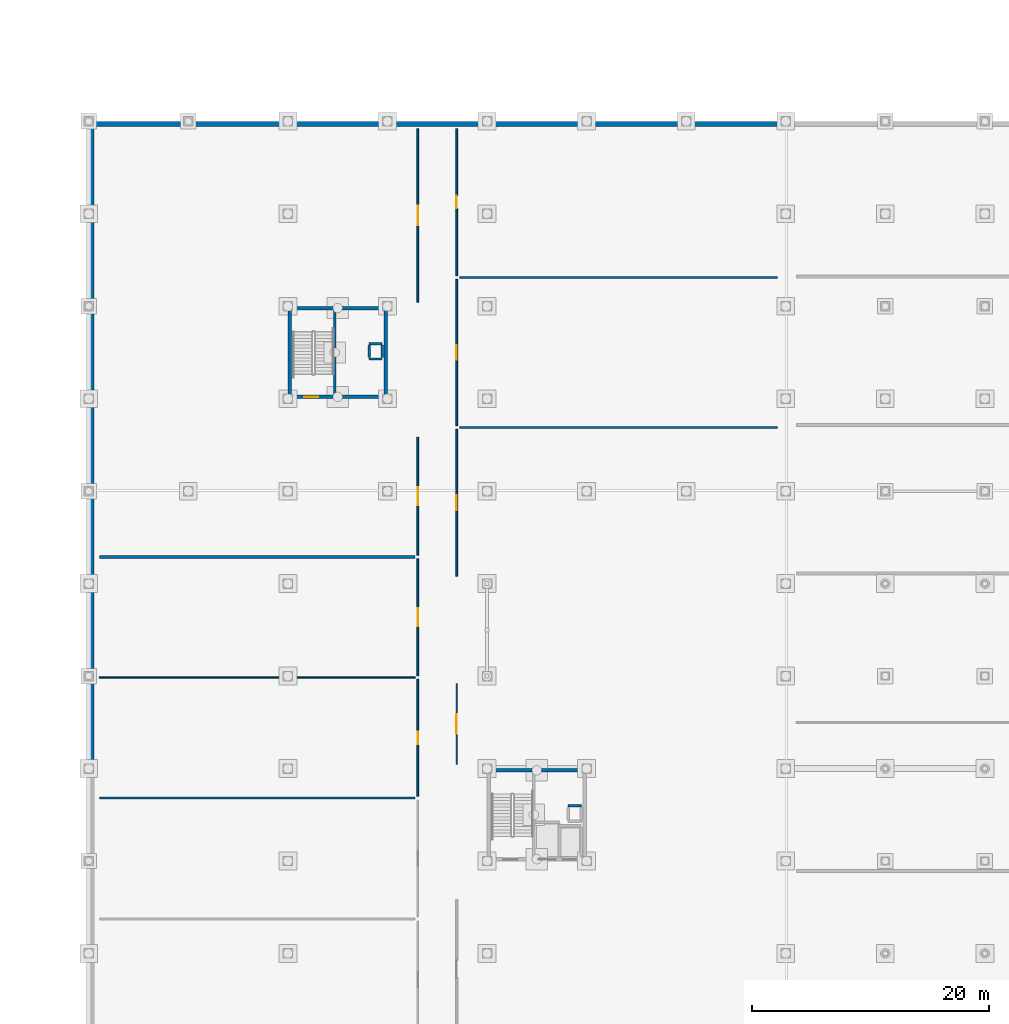
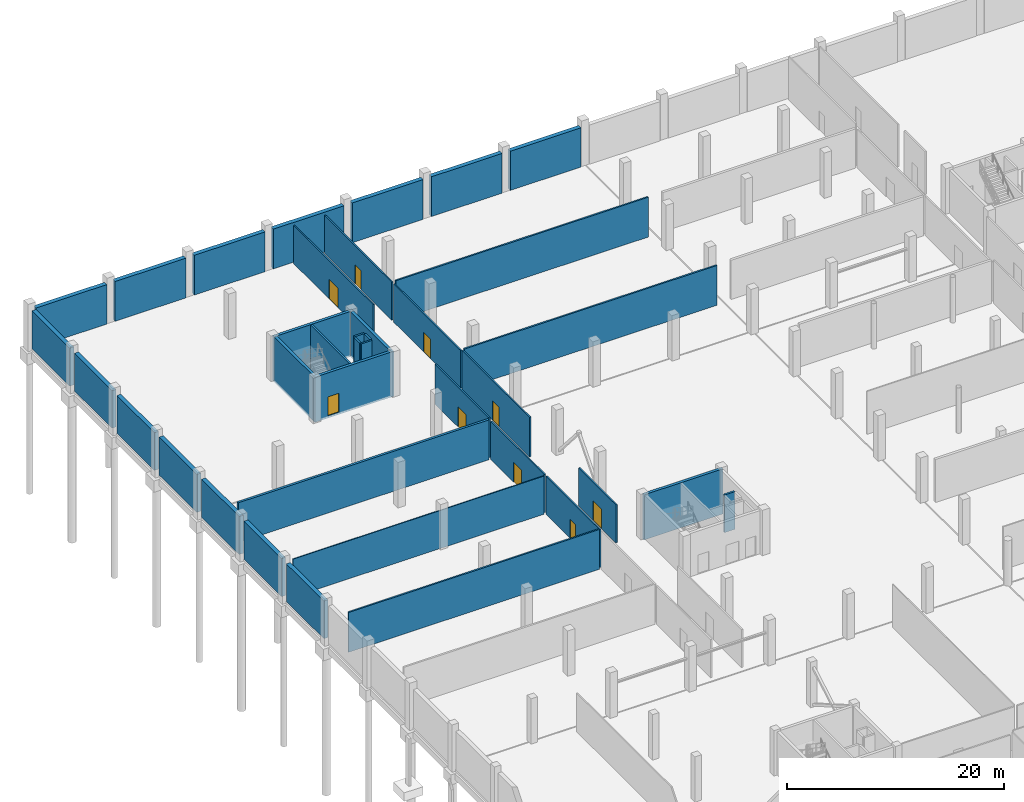
# One storey, part 30 of 48: 38 walls, 9 doors, 9 openings.
"""IFC4 building model written with IfcOpenShell, lengths in metres."""

from ifc_helpers import new_model, si_unit, direction, frame, frame_2d, origin, place, context, subcontext, project, spatial, rectangle, extrude, material, layer, layer_set, type_object, element, fill, save


model = new_model("IFC4")

# Units and contexts
model_context = context("Model", 3, precision=1e-05, world=origin(), true_north=direction((0.0, 1.0)))
body_context = subcontext(model_context, "Body", "Model", "MODEL_VIEW")
ifc_project = project(units=[si_unit("LENGTHUNIT", "METRE"), si_unit("AREAUNIT", "SQUARE_METRE"), si_unit("VOLUMEUNIT", "CUBIC_METRE"), si_unit("PLANEANGLEUNIT", "RADIAN"), si_unit("MASSUNIT", "GRAM", prefix="KILO")], contexts=[model_context])

# Site, building, storey
site_placement = place(None, origin())
site = spatial("IfcSite", under=ifc_project, at=site_placement, CompositionType="ELEMENT")
building_placement = place(site_placement, origin())
building = spatial("IfcBuilding", under=site, at=building_placement, Name="Nabrawat Pavilion Hospital", CompositionType="ELEMENT")
storey_placement = place(building_placement, frame((0.0, 0.0, -5.10009765625)))
storey = spatial("IfcBuildingStorey", under=building, at=storey_placement, Name="B1", CompositionType="ELEMENT", Elevation=-5.10009765625)

# Walls
ifc_material_1 = material(Name="Concrete C35/45", Category="concrete")
ifc_layer_1 = layer(ifc_material_1, 0.43994140625, Name="Concrete C35/45")
ifc_layer_set_1 = layer_set([ifc_layer_1], Name="Concrete C35/45")
wall_type_1 = type_object("IfcWallType", Name="Basement Deep RC Retaining Wall 440", PredefinedType="USERDEFINED", material=ifc_layer_set_1)
wall_1_placement = place(storey_placement, frame((0.219970703125, 62.840087890625, 0.0), z_axis=(0.0, 0.0, 1.0), x_axis=(0.0, 1.0, 0.0)))
element("IfcWall", 1, at=wall_1_placement, inside=storey, type_object=wall_type_1, Name="B1 Perimeter Retaining Wall 016", ObjectType="RETAININGWALL", PredefinedType="USERDEFINED", context=body_context, shape_type="SweptSolid", body=[
    extrude(rectangle(XDim=6.919921875, YDim=0.43994140625, at=frame_2d((3.4599609375, 0.0))), origin(), (0.0, 0.0, 1.0), 4.22998046875),
])
for number, where, z_axis, x_axis, name in (
    (2, (0.219970703125, 70.639892578125, 0.0), (0.0, 0.0, 1.0), (0.0, 1.0, 0.0), "B1 Perimeter Retaining Wall 017"),
    (3, (0.219970703125, 78.43994140625, 0.0), (0.0, 0.0, 1.0), (0.0, 1.0, 0.0), "B1 Perimeter Retaining Wall 018"),
):
    element("IfcWall", number, at=place(storey_placement, frame(where, z_axis=z_axis, x_axis=x_axis)), inside=storey, type_object=wall_type_1, Name=name, ObjectType="RETAININGWALL", PredefinedType="USERDEFINED", context=body_context, shape_type="SweptSolid", body=[
        extrude(rectangle(XDim=6.920166015625, YDim=0.43994140625, at=frame_2d((3.4599609375, 0.0))), origin(), (0.0, 0.0, 1.0), 4.280029296875),
    ])
wall_2_placement = place(storey_placement, frame((0.219970703125, 86.239990234375, 0.0), z_axis=(0.0, 0.0, 1.0), x_axis=(0.0, 1.0, 0.0)))
element("IfcWall", 4, at=wall_2_placement, inside=storey, type_object=wall_type_1, Name="B1 Perimeter Retaining Wall 019", ObjectType="RETAININGWALL", PredefinedType="USERDEFINED", context=body_context, shape_type="SweptSolid", body=[
    extrude(rectangle(XDim=6.919921875, YDim=0.43994140625, at=frame_2d((3.4599609375, 0.0))), origin(), (0.0, 0.0, 1.0), 4.280029296875),
])
for number, where, z_axis, x_axis, name in (
    (5, (0.219970703125, 94.0400390625, 0.0), (0.0, 0.0, 1.0), (0.0, 1.0, 0.0), "B1 Perimeter Retaining Wall 020"),
    (6, (0.219970703125, 101.840087890625, 0.0), (0.0, 0.0, 1.0), (0.0, 1.0, 0.0), "B1 Perimeter Retaining Wall 021"),
):
    element("IfcWall", number, at=place(storey_placement, frame(where, z_axis=z_axis, x_axis=x_axis)), inside=storey, type_object=wall_type_1, Name=name, ObjectType="RETAININGWALL", PredefinedType="USERDEFINED", context=body_context, shape_type="SweptSolid", body=[
        extrude(rectangle(XDim=6.919921875, YDim=0.43994140625, at=frame_2d((3.4599609375, 0.0))), origin(), (0.0, 0.0, 1.0), 4.22998046875),
    ])
wall_3_placement = place(storey_placement, frame((0.219970703125, 109.639892578125, 0.0), z_axis=(0.0, 0.0, 1.0), x_axis=(0.0, 1.0, 0.0)))
element("IfcWall", 7, at=wall_3_placement, inside=storey, type_object=wall_type_1, Name="B1 Perimeter Retaining Wall 022", ObjectType="RETAININGWALL", PredefinedType="USERDEFINED", context=body_context, shape_type="SweptSolid", body=[
    extrude(rectangle(XDim=6.920166015625, YDim=0.43994140625, at=frame_2d((3.4599609375, 0.0))), origin(), (0.0, 0.0, 1.0), 4.280029296875),
])
wall_4_placement = place(storey_placement, frame((0.43994140625, 116.780029296875, 0.0), z_axis=(0.0, 0.0, 1.0), x_axis=(1.0, 0.0, 0.0)))
element("IfcWall", 8, at=wall_4_placement, inside=storey, type_object=wall_type_1, Name="B1 Perimeter Retaining Wall 023", ObjectType="RETAININGWALL", PredefinedType="USERDEFINED", context=body_context, shape_type="SweptSolid", body=[
    extrude(rectangle(XDim=7.52001953125, YDim=0.43994140625, at=frame_2d((3.760009765625, 0.0))), origin(), (0.0, 0.0, 1.0), 4.440185546875),
])
for number, where, z_axis, x_axis, name in (
    (9, (8.840087890625, 116.780029296875, 0.0), (0.0, 0.0, 1.0), (1.0, 0.0, 0.0), "B1 Perimeter Retaining Wall 024"),
    (10, (17.239990234375, 116.780029296875, 0.0), (0.0, 0.0, 1.0), (1.0, 0.0, 0.0), "B1 Perimeter Retaining Wall 025"),
    (11, (25.639892578125, 116.780029296875, 0.0), (0.0, 0.0, 1.0), (1.0, 0.0, 0.0), "B1 Perimeter Retaining Wall 026"),
    (12, (34.0400390625, 116.780029296875, 0.0), (0.0, 0.0, 1.0), (1.0, 0.0, 0.0), "B1 Perimeter Retaining Wall 027"),
    (13, (42.43994140625, 116.780029296875, 0.0), (0.0, 0.0, 1.0), (1.0, 0.0, 0.0), "B1 Perimeter Retaining Wall 028"),
):
    element("IfcWall", number, at=place(storey_placement, frame(where, z_axis=z_axis, x_axis=x_axis)), inside=storey, type_object=wall_type_1, Name=name, ObjectType="RETAININGWALL", PredefinedType="USERDEFINED", context=body_context, shape_type="SweptSolid", body=[
        extrude(rectangle(XDim=7.52001953125, YDim=0.43994140625, at=frame_2d((3.760009765625, 0.0))), origin(), (0.0, 0.0, 1.0), 4.47021484375),
    ])
wall_5_placement = place(storey_placement, frame((50.840087890625, 116.780029296875, 0.0), z_axis=(0.0, 0.0, 1.0), x_axis=(1.0, 0.0, 0.0)))
element("IfcWall", 14, at=wall_5_placement, inside=storey, type_object=wall_type_1, Name="B1 Perimeter Retaining Wall 029", ObjectType="RETAININGWALL", PredefinedType="USERDEFINED", context=body_context, shape_type="SweptSolid", body=[
    extrude(rectangle(XDim=7.52001953125, YDim=0.43994140625, at=frame_2d((3.760009765625, 0.0))), origin(), (0.0, 0.0, 1.0), 4.41015625),
])
ifc_layer_2 = layer(ifc_material_1, 0.25, Name="Concrete C35/45")
ifc_layer_set_2 = layer_set([ifc_layer_2], Name="Concrete C35/45")
wall_type_2 = type_object("IfcWallType", Name="Basement Plant Acoustic Masonry Wall 250", PredefinedType="PARTITIONING", material=ifc_layer_set_2)
wall_6_placement = place(storey_placement, frame((0.889892578125, 80.251953125, 0.0), z_axis=(0.0, 0.0, 1.0), x_axis=(1.0, 0.0, 0.0)))
element("IfcWall", 15, at=wall_6_placement, inside=storey, type_object=wall_type_2, Name="B1 Emergency Diesel Generator Plant Room B1-04 Dividing Partition", PredefinedType="PARTITIONING", context=body_context, shape_type="SweptSolid", body=[
    extrude(rectangle(XDim=26.650146484375, YDim=0.25, at=frame_2d((13.3251953125, 0.0))), origin(), (0.0, 0.0, 1.0), 4.47998046875),
])
ifc_material_2 = material(Name="Epoxy-Coated Gypsum on Stud", Category="gypsum")
ifc_layer_3 = layer(ifc_material_2, 0.169921875, Name="Epoxy-Coated Gypsum on Stud")
ifc_layer_set_3 = layer_set([ifc_layer_3], Name="Epoxy-Coated Gypsum on Stud")
wall_type_3 = type_object("IfcWallType", Name="Biosafety Laboratory Chemical Wall 170", PredefinedType="PARTITIONING", material=ifc_layer_set_3)
wall_7_placement = place(storey_placement, frame((0.889892578125, 59.89599609375, 0.0), z_axis=(0.0, 0.0, 1.0), x_axis=(1.0, 0.0, 0.0)))
element("IfcWall", 16, at=wall_7_placement, inside=storey, type_object=wall_type_3, Name="B1 Regional Blood Bank Cryo Storage B1-02 Dividing Partition", PredefinedType="PARTITIONING", context=body_context, shape_type="SweptSolid", body=[
    extrude(rectangle(XDim=26.650146484375, YDim=0.169921875, at=frame_2d((13.3251953125, 0.0))), origin(), (0.0, 0.0, 1.0), 4.47998046875),
])
for number, where, z_axis, x_axis, name in (
    (17, (31.260009765625, 91.179931640625, 0.0), (0.0, 0.0, 1.0), (1.0, 0.0, 0.0), "B1 Anatomical Pathology Laboratory B1-09 Dividing Partition"),
    (18, (31.260009765625, 103.820068359375, 0.0), (0.0, 0.0, 1.0), (1.0, 0.0, 0.0), "B1 Regional Blood Bank Cryo Storage B1-10 Dividing Partition"),
):
    element("IfcWall", number, at=place(storey_placement, frame(where, z_axis=z_axis, x_axis=x_axis)), inside=storey, type_object=wall_type_3, Name=name, PredefinedType="PARTITIONING", context=body_context, shape_type="SweptSolid", body=[
        extrude(rectangle(XDim=26.85009765625, YDim=0.169921875, at=frame_2d((13.425048828125, 0.0))), origin(), (0.0, 0.0, 1.0), 4.47998046875),
    ])
ifc_material_3 = material(Name="Gypsum Plasterboard on Stud", Category="gypsum")
ifc_layer_4 = layer(ifc_material_3, 0.10009765625, Name="Gypsum Plasterboard on Stud")
ifc_layer_set_4 = layer_set([ifc_layer_4], Name="Gypsum Plasterboard on Stud")
wall_type_4 = type_object("IfcWallType", Name="Clean Utility Sub-Partition 100", PredefinedType="PARTITIONING", material=ifc_layer_set_4)
wall_8_placement = place(storey_placement, frame((0.889892578125, 70.073974609375, 0.0), z_axis=(0.0, 0.0, 1.0), x_axis=(1.0, 0.0, 0.0)))
element("IfcWall", 19, at=wall_8_placement, inside=storey, type_object=wall_type_4, Name="B1 Sterile Autoclave Packing Hall B1-03 Dividing Partition", PredefinedType="PARTITIONING", context=body_context, shape_type="SweptSolid", body=[
    extrude(rectangle(XDim=26.650146484375, YDim=0.10009765625, at=frame_2d((13.3251953125, 0.0))), origin(), (0.0, 0.0, 1.0), 4.280029296875),
])

# Wall, opening, door
ifc_material_4 = material(Name="Gypsum Fireboard on Steel Stud", Category="steel")
ifc_layer_5 = layer(ifc_material_4, 0.14990234375, Name="Gypsum Fireboard on Steel Stud")
ifc_layer_set_5 = layer_set([ifc_layer_5], Name="Gypsum Fireboard on Steel Stud")
wall_type_5 = type_object("IfcWallType", Name="Clinical Corridor Smoke-Barrier Wall 150", PredefinedType="PARTITIONING", material=ifc_layer_set_5)
wall_9_placement = place(storey_placement, frame((27.760009765625, 60.055908203125, 0.0), z_axis=(0.0, 0.0, 1.0), x_axis=(0.0, 1.0, 0.0)))
wall_9 = element("IfcWall", 20, at=wall_9_placement, inside=storey, type_object=wall_type_5, Name="B1 Sterile Autoclave Packing Hall B1-03 Front Partition", PredefinedType="PARTITIONING", context=body_context, shape_type="SweptSolid", body=[
    extrude(rectangle(XDim=9.858154296875, YDim=0.14990234375, at=frame_2d((4.92919921875, 0.0))), origin(), (0.0, 0.0, 1.0), 4.280029296875),
])
opening_1_placement = place(wall_9_placement, frame((4.404052734375, 0.0, 0.0)))
opening_1 = element("IfcOpeningElement", 21, at=opening_1_placement, cuts=wall_9, Name="Opening D-OPC-L", PredefinedType="OPENING", context=body_context, shape_type="SweptSolid", body=[
    extrude(rectangle(XDim=1.050048828125, YDim=2.14990234375, at=frame_2d((0.52490234375, 1.074951171875))), frame((0.0, 0.0849609375, 0.0), z_axis=(0.0, -1.0, 0.0), x_axis=(1.0, 0.0, 0.0)), (0.0, 0.0, 1.0), 0.169921875),
])
ifc_material_5 = material(Name="Stainless-Clad Acoustic Timber and Vision Glass", Category="wood")
door_type_1 = type_object("IfcDoorType", Name="Outpatient Clinic Consultation Door L 1050x2150", OperationType="NOTDEFINED", PredefinedType="DOOR", material=ifc_material_5)
door_1_placement = place(opening_1_placement, origin())
door_1 = element("IfcDoor", 22, at=door_1_placement, inside=storey, type_object=door_type_1, Name="Sterile Autoclave Packing Hall B1-03 Door", OperationType="SINGLE_SWING_RIGHT", OverallHeight=2.14990234375, OverallWidth=1.050048828125, PredefinedType="DOOR", context=body_context, shape_type="SweptSolid", body=[
    extrude(rectangle(XDim=1.050048828125, YDim=2.14990234375, at=frame_2d((0.52490234375, 1.074951171875))), frame((0.0, 0.02490234375, 0.0), z_axis=(0.0, -1.0, 0.0), x_axis=(1.0, 0.0, 0.0)), (0.0, 0.0, 1.0), 0.050048828125),
])
fill(opening_1, door_1)

wall_10_placement = place(storey_placement, frame((27.760009765625, 70.23388671875, 0.0), z_axis=(0.0, 0.0, 1.0), x_axis=(0.0, 1.0, 0.0)))
wall_10 = element("IfcWall", 23, at=wall_10_placement, inside=storey, type_object=wall_type_5, Name="B1 Emergency Diesel Generator Plant Room B1-04 Front Partition", PredefinedType="PARTITIONING", context=body_context, shape_type="SweptSolid", body=[
    extrude(rectangle(XDim=9.858154296875, YDim=0.14990234375, at=frame_2d((4.92919921875, 0.0))), origin(), (0.0, 0.0, 1.0), 4.280029296875),
])
opening_2_placement = place(wall_10_placement, frame((4.178955078125, 0.0, 0.0)))
opening_2 = element("IfcOpeningElement", 24, at=opening_2_placement, cuts=wall_10, Name="Opening D-PLANT", PredefinedType="OPENING", context=body_context, shape_type="SweptSolid", body=[
    extrude(rectangle(XDim=1.5, YDim=2.25, at=frame_2d((0.75, 1.125))), frame((0.0, 0.0849609375, 0.0), z_axis=(0.0, -1.0, 0.0), x_axis=(1.0, 0.0, 0.0)), (0.0, 0.0, 1.0), 0.169921875),
])
door_type_2 = type_object("IfcDoorType", Name="D-PLANT Heavy Plant Room Steel Fire Door 1500x2250", OperationType="NOTDEFINED", PredefinedType="DOOR", material=ifc_material_5)
door_2_placement = place(opening_2_placement, origin())
door_2 = element("IfcDoor", 25, at=door_2_placement, inside=storey, type_object=door_type_2, Name="Emergency Diesel Generator Plant Room B1-04 Door", OperationType="DOUBLE_DOOR_SINGLE_SWING", OverallHeight=2.25, OverallWidth=1.5, PredefinedType="DOOR", context=body_context, shape_type="SweptSolid", body=[
    extrude(rectangle(XDim=1.5, YDim=2.25, at=frame_2d((0.75, 1.125))), frame((0.0, 0.02490234375, 0.0), z_axis=(0.0, -1.0, 0.0), x_axis=(1.0, 0.0, 0.0)), (0.0, 0.0, 1.0), 0.050048828125),
])
fill(opening_2, door_2)

wall_11_placement = place(storey_placement, frame((27.760009765625, 80.412109375, 0.0), z_axis=(0.0, 0.0, 1.0), x_axis=(0.0, 1.0, 0.0)))
wall_11 = element("IfcWall", 26, at=wall_11_placement, inside=storey, type_object=wall_type_5, Name="B1 Central Chilled Water Plant Room B1-05 Front Partition", PredefinedType="PARTITIONING", context=body_context, shape_type="SweptSolid", body=[
    extrude(rectangle(XDim=9.93798828125, YDim=0.14990234375, at=frame_2d((4.968994140625, 0.0))), origin(), (0.0, 0.0, 1.0), 4.47021484375),
])
opening_3_placement = place(wall_11_placement, frame((4.218994140625, 0.0, 0.0)))
opening_3 = element("IfcOpeningElement", 27, at=opening_3_placement, cuts=wall_11, Name="Opening D-PLANT", PredefinedType="OPENING", context=body_context, shape_type="SweptSolid", body=[
    extrude(rectangle(XDim=1.5, YDim=2.25, at=frame_2d((0.75, 1.125))), frame((0.0, 0.0849609375, 0.0), z_axis=(0.0, -1.0, 0.0), x_axis=(1.0, 0.0, 0.0)), (0.0, 0.0, 1.0), 0.169921875),
])
door_3_placement = place(opening_3_placement, origin())
door_3 = element("IfcDoor", 28, at=door_3_placement, inside=storey, type_object=door_type_2, Name="Central Chilled Water Plant Room B1-05 Door", OperationType="DOUBLE_DOOR_SINGLE_SWING", OverallHeight=2.25, OverallWidth=1.5, PredefinedType="DOOR", context=body_context, shape_type="SweptSolid", body=[
    extrude(rectangle(XDim=1.5, YDim=2.25, at=frame_2d((0.75, 1.125))), frame((0.0, 0.02490234375, 0.0), z_axis=(0.0, -1.0, 0.0), x_axis=(1.0, 0.0, 0.0)), (0.0, 0.0, 1.0), 0.050048828125),
])
fill(opening_3, door_3)

wall_12_placement = place(storey_placement, frame((27.760009765625, 101.719970703125, 0.0), z_axis=(0.0, 0.0, 1.0), x_axis=(0.0, 1.0, 0.0)))
wall_12 = element("IfcWall", 29, at=wall_12_placement, inside=storey, type_object=wall_type_5, Name="B1 Medical Records Digital Archive B1-06 Front Partition", PredefinedType="PARTITIONING", context=body_context, shape_type="SweptSolid", body=[
    extrude(rectangle(XDim=14.659912109375, YDim=0.14990234375, at=frame_2d((7.330078125, 0.0))), origin(), (0.0, 0.0, 1.0), 4.280029296875),
])
opening_4_placement = place(wall_12_placement, frame((6.5048828125, 0.0, 0.0)))
opening_4 = element("IfcOpeningElement", 30, at=opening_4_placement, cuts=wall_12, Name="Opening D-STRG", PredefinedType="OPENING", context=body_context, shape_type="SweptSolid", body=[
    extrude(rectangle(XDim=1.64990234375, YDim=2.199951171875, at=frame_2d((0.824951171875, 1.10009765625))), frame((0.0, 0.0849609375, 0.0), z_axis=(0.0, -1.0, 0.0), x_axis=(1.0, 0.0, 0.0)), (0.0, 0.0, 1.0), 0.169921875),
])
door_type_3 = type_object("IfcDoorType", Name="Bulk Medical Store Double Door 1650x2200", OperationType="NOTDEFINED", PredefinedType="DOOR", material=ifc_material_5)
door_4_placement = place(opening_4_placement, origin())
door_4 = element("IfcDoor", 31, at=door_4_placement, inside=storey, type_object=door_type_3, Name="Medical Records Digital Archive B1-06 Door", OperationType="DOUBLE_DOOR_SINGLE_SWING", OverallHeight=2.199951171875, OverallWidth=1.64990234375, PredefinedType="DOOR", context=body_context, shape_type="SweptSolid", body=[
    extrude(rectangle(XDim=1.64990234375, YDim=2.199951171875, at=frame_2d((0.824951171875, 1.10009765625))), frame((0.0, 0.02490234375, 0.0), z_axis=(0.0, -1.0, 0.0), x_axis=(1.0, 0.0, 0.0)), (0.0, 0.0, 1.0), 0.050048828125),
])
fill(opening_4, door_4)

wall_13_placement = place(storey_placement, frame((31.0400390625, 62.719970703125, 0.0), z_axis=(0.0, 0.0, 1.0), x_axis=(0.0, 1.0, 0.0)))
wall_13 = element("IfcWall", 32, at=wall_13_placement, inside=storey, type_object=wall_type_5, Name="B1 Regulated Clinical Waste Cold Store B1-08 Front Partition", PredefinedType="PARTITIONING", context=body_context, shape_type="SweptSolid", body=[
    extrude(rectangle(XDim=6.860107421875, YDim=0.14990234375, at=frame_2d((3.43017578125, 0.0))), origin(), (0.0, 0.0, 1.0), 4.280029296875),
])
opening_5_placement = place(wall_13_placement, frame((2.60498046875, 0.0, 0.0)))
opening_5 = element("IfcOpeningElement", 33, at=opening_5_placement, cuts=wall_13, Name="Opening D-STRG", PredefinedType="OPENING", context=body_context, shape_type="SweptSolid", body=[
    extrude(rectangle(XDim=1.64990234375, YDim=2.199951171875, at=frame_2d((0.824951171875, 1.10009765625))), frame((0.0, 0.0849609375, 0.0), z_axis=(0.0, -1.0, 0.0), x_axis=(1.0, 0.0, 0.0)), (0.0, 0.0, 1.0), 0.169921875),
])
door_5_placement = place(opening_5_placement, origin())
door_5 = element("IfcDoor", 34, at=door_5_placement, inside=storey, type_object=door_type_3, Name="Regulated Clinical Waste Cold Store B1-08 Door", OperationType="DOUBLE_DOOR_SINGLE_SWING", OverallHeight=2.199951171875, OverallWidth=1.64990234375, PredefinedType="DOOR", context=body_context, shape_type="SweptSolid", body=[
    extrude(rectangle(XDim=1.64990234375, YDim=2.199951171875, at=frame_2d((0.824951171875, 1.10009765625))), frame((0.0, 0.02490234375, 0.0), z_axis=(0.0, -1.0, 0.0), x_axis=(1.0, 0.0, 0.0)), (0.0, 0.0, 1.0), 0.050048828125),
])
fill(opening_5, door_5)

wall_14_placement = place(storey_placement, frame((31.0400390625, 78.6201171875, 0.0), z_axis=(0.0, 0.0, 1.0), x_axis=(0.0, 1.0, 0.0)))
wall_14 = element("IfcWall", 35, at=wall_14_placement, inside=storey, type_object=wall_type_5, Name="B1 Anatomical Pathology Laboratory B1-09 Front Partition", PredefinedType="PARTITIONING", context=body_context, shape_type="SweptSolid", body=[
    extrude(rectangle(XDim=12.39990234375, YDim=0.14990234375, at=frame_2d((6.199951171875, 0.0))), origin(), (0.0, 0.0, 1.0), 4.47021484375),
])
opening_6_placement = place(wall_14_placement, frame((5.574951171875, 0.0, 0.0)))
opening_6 = element("IfcOpeningElement", 36, at=opening_6_placement, cuts=wall_14, Name="Opening D-LAB", PredefinedType="OPENING", context=body_context, shape_type="SweptSolid", body=[
    extrude(rectangle(XDim=1.25, YDim=2.199951171875, at=frame_2d((0.625, 1.10009765625))), frame((0.0, 0.0849609375, 0.0), z_axis=(0.0, -1.0, 0.0), x_axis=(1.0, 0.0, 0.0)), (0.0, 0.0, 1.0), 0.169921875),
])
door_type_4 = type_object("IfcDoorType", Name="Laboratory Containment Vision-Panel Door 1250x2200", OperationType="NOTDEFINED", PredefinedType="DOOR", material=ifc_material_5)
door_6_placement = place(opening_6_placement, origin())
door_6 = element("IfcDoor", 37, at=door_6_placement, inside=storey, type_object=door_type_4, Name="Anatomical Pathology Laboratory B1-09 Door", OperationType="SINGLE_SWING_RIGHT", OverallHeight=2.199951171875, OverallWidth=1.25, PredefinedType="DOOR", context=body_context, shape_type="SweptSolid", body=[
    extrude(rectangle(XDim=1.25, YDim=2.199951171875, at=frame_2d((0.625, 1.10009765625))), frame((0.0, 0.02490234375, 0.0), z_axis=(0.0, -1.0, 0.0), x_axis=(1.0, 0.0, 0.0)), (0.0, 0.0, 1.0), 0.050048828125),
])
fill(opening_6, door_6)

wall_15_placement = place(storey_placement, frame((31.0400390625, 91.340087890625, 0.0), z_axis=(0.0, 0.0, 1.0), x_axis=(0.0, 1.0, 0.0)))
wall_15 = element("IfcWall", 38, at=wall_15_placement, inside=storey, type_object=wall_type_5, Name="B1 Regional Blood Bank Cryo Storage B1-10 Front Partition", PredefinedType="PARTITIONING", context=body_context, shape_type="SweptSolid", body=[
    extrude(rectangle(XDim=12.31982421875, YDim=0.14990234375, at=frame_2d((6.159912109375, 0.0))), origin(), (0.0, 0.0, 1.0), 4.280029296875),
])
opening_7_placement = place(wall_15_placement, frame((5.534912109375, 0.0, 0.0)))
opening_7 = element("IfcOpeningElement", 39, at=opening_7_placement, cuts=wall_15, Name="Opening D-LAB", PredefinedType="OPENING", context=body_context, shape_type="SweptSolid", body=[
    extrude(rectangle(XDim=1.25, YDim=2.199951171875, at=frame_2d((0.625, 1.10009765625))), frame((0.0, 0.0849609375, 0.0), z_axis=(0.0, -1.0, 0.0), x_axis=(1.0, 0.0, 0.0)), (0.0, 0.0, 1.0), 0.169921875),
])
door_7_placement = place(opening_7_placement, origin())
door_7 = element("IfcDoor", 40, at=door_7_placement, inside=storey, type_object=door_type_4, Name="Regional Blood Bank Cryo Storage B1-10 Door", OperationType="SINGLE_SWING_LEFT", OverallHeight=2.199951171875, OverallWidth=1.25, PredefinedType="DOOR", context=body_context, shape_type="SweptSolid", body=[
    extrude(rectangle(XDim=1.25, YDim=2.199951171875, at=frame_2d((0.625, 1.10009765625))), frame((0.0, 0.02490234375, 0.0), z_axis=(0.0, -1.0, 0.0), x_axis=(1.0, 0.0, 0.0)), (0.0, 0.0, 1.0), 0.050048828125),
])
fill(opening_7, door_7)

wall_16_placement = place(storey_placement, frame((31.0400390625, 103.97998046875, 0.0), z_axis=(0.0, 0.0, 1.0), x_axis=(0.0, 1.0, 0.0)))
wall_16 = element("IfcWall", 41, at=wall_16_placement, inside=storey, type_object=wall_type_5, Name="B1 Sterile Autoclave Packing Hall B1-11 Front Partition", PredefinedType="PARTITIONING", context=body_context, shape_type="SweptSolid", body=[
    extrude(rectangle(XDim=12.39990234375, YDim=0.14990234375, at=frame_2d((6.199951171875, 0.0))), origin(), (0.0, 0.0, 1.0), 4.280029296875),
])
opening_8_placement = place(wall_16_placement, frame((5.675048828125, 0.0, 0.0)))
opening_8 = element("IfcOpeningElement", 42, at=opening_8_placement, cuts=wall_16, Name="Opening D-OPC-L", PredefinedType="OPENING", context=body_context, shape_type="SweptSolid", body=[
    extrude(rectangle(XDim=1.050048828125, YDim=2.14990234375, at=frame_2d((0.52490234375, 1.074951171875))), frame((0.0, 0.0849609375, 0.0), z_axis=(0.0, -1.0, 0.0), x_axis=(1.0, 0.0, 0.0)), (0.0, 0.0, 1.0), 0.169921875),
])
door_8_placement = place(opening_8_placement, origin())
door_8 = element("IfcDoor", 43, at=door_8_placement, inside=storey, type_object=door_type_1, Name="Sterile Autoclave Packing Hall B1-11 Door", OperationType="SINGLE_SWING_RIGHT", OverallHeight=2.14990234375, OverallWidth=1.050048828125, PredefinedType="DOOR", context=body_context, shape_type="SweptSolid", body=[
    extrude(rectangle(XDim=1.050048828125, YDim=2.14990234375, at=frame_2d((0.52490234375, 1.074951171875))), frame((0.0, 0.02490234375, 0.0), z_axis=(0.0, -1.0, 0.0), x_axis=(1.0, 0.0, 0.0)), (0.0, 0.0, 1.0), 0.050048828125),
])
fill(opening_8, door_8)

# Walls
ifc_layer_6 = layer(ifc_material_1, 0.199951171875, Name="Concrete C35/45")
ifc_layer_set_6 = layer_set([ifc_layer_6], Name="Concrete C35/45")
wall_type_6 = type_object("IfcWallType", Name="Lift and Riser Fire Shaft Wall 200", PredefinedType="PARTITIONING", material=ifc_layer_set_6)
wall_17_placement = place(storey_placement, frame((40.449951171875, 59.25, 0.0), z_axis=(0.0, 0.0, 1.0), x_axis=(1.0, 0.0, 0.0)))
element("IfcWall", 44, at=wall_17_placement, inside=storey, type_object=wall_type_6, Name="B1 CORE-2 MEP Riser Shaft Wall N", PredefinedType="PARTITIONING", context=body_context, shape_type="SweptSolid", body=[
    extrude(rectangle(XDim=1.10009765625, YDim=0.199951171875, at=frame_2d((0.550048828125, 0.0))), origin(), (0.0, 0.0, 1.0), 4.22998046875),
])
wall_18_placement = place(storey_placement, frame((20.75, 93.919921875, -0.219970703125), z_axis=(0.0, 0.0, 1.0), x_axis=(0.0, 1.0, 0.0)))
element("IfcWall", 45, at=wall_18_placement, inside=storey, type_object=wall_type_6, Name="B1 CORE-7 Stair-Lift Dividing Shear Wall", PredefinedType="SHEAR", context=body_context, shape_type="SweptSolid", body=[
    extrude(rectangle(XDim=7.16015625, YDim=0.199951171875, at=frame_2d((3.580078125, 0.0))), origin(), (0.0, 0.0, 1.0), 5.070068359375),
])
for number, where, z_axis, x_axis, name in (
    (46, (23.64990234375, 96.949951171875, 0.0), (0.0, 0.0, 1.0), (1.0, 0.0, 0.0), "B1 CORE-7 MEP Riser Shaft Wall S"),
    (47, (23.64990234375, 98.25, 0.0), (0.0, 0.0, 1.0), (1.0, 0.0, 0.0), "B1 CORE-7 MEP Riser Shaft Wall N"),
):
    element("IfcWall", number, at=place(storey_placement, frame(where, z_axis=z_axis, x_axis=x_axis)), inside=storey, type_object=wall_type_6, Name=name, PredefinedType="PARTITIONING", context=body_context, shape_type="SweptSolid", body=[
        extrude(rectangle(XDim=1.10009765625, YDim=0.199951171875, at=frame_2d((0.550048828125, 0.0))), origin(), (0.0, 0.0, 1.0), 4.22998046875),
    ])
for number, where, z_axis, x_axis, name in (
    (48, (23.64990234375, 97.070068359375, 0.0), (0.0, 0.0, 1.0), (0.0, 1.0, 0.0), "B1 CORE-7 MEP Riser Shaft Wall W"),
    (49, (24.75, 97.070068359375, 0.0), (0.0, 0.0, 1.0), (0.0, 1.0, 0.0), "B1 CORE-7 MEP Riser Shaft Wall E"),
):
    element("IfcWall", number, at=place(storey_placement, frame(where, z_axis=z_axis, x_axis=x_axis)), inside=storey, type_object=wall_type_6, Name=name, PredefinedType="PARTITIONING", context=body_context, shape_type="SweptSolid", body=[
        extrude(rectangle(XDim=1.059814453125, YDim=0.199951171875, at=frame_2d((0.52978515625, 0.0))), origin(), (0.0, 0.0, 1.0), 4.22998046875),
    ])
ifc_material_6 = material(Name="Concrete C40/50", Category="concrete")
ifc_layer_7 = layer(ifc_material_6, 0.300048828125, Name="Concrete C40/50")
ifc_layer_set_7 = layer_set([ifc_layer_7], Name="Concrete C40/50")
wall_type_7 = type_object("IfcWallType", Name="Reinforced Concrete Core Shear Wall 300", PredefinedType="SHEAR", material=ifc_layer_set_7)
wall_19_placement = place(storey_placement, frame((33.60009765625, 62.25, -0.219970703125), z_axis=(0.0, 0.0, 1.0), x_axis=(1.0, 0.0, 0.0)))
element("IfcWall", 50, at=wall_19_placement, inside=storey, type_object=wall_type_7, Name="B1 CORE-2 North Core Shear Wall", PredefinedType="SHEAR", context=body_context, shape_type="SweptSolid", body=[
    extrude(rectangle(XDim=8.39990234375, YDim=0.300048828125, at=frame_2d((4.199951171875, 0.0))), origin(), (0.0, 0.0, 1.0), 5.070068359375),
])

# Wall, opening, door
wall_20_placement = place(storey_placement, frame((16.800048828125, 93.75, -0.219970703125), z_axis=(0.0, 0.0, 1.0), x_axis=(1.0, 0.0, 0.0)))
wall_20 = element("IfcWall", 51, at=wall_20_placement, inside=storey, type_object=wall_type_7, Name="B1 CORE-7 South Core Shear Wall", PredefinedType="SHEAR", context=body_context, shape_type="SweptSolid", body=[
    extrude(rectangle(XDim=8.39990234375, YDim=0.300048828125, at=frame_2d((4.199951171875, 0.0))), origin(), (0.0, 0.0, 1.0), 5.070068359375),
])
opening_9_placement = place(wall_20_placement, frame((1.3798828125, 0.0, 0.219970703125)))
opening_9 = element("IfcOpeningElement", 52, at=opening_9_placement, cuts=wall_20, Name="Opening D-STAIR", PredefinedType="OPENING", context=body_context, shape_type="SweptSolid", body=[
    extrude(rectangle(XDim=1.199951171875, YDim=2.14990234375, at=frame_2d((0.60009765625, 1.074951171875))), frame((0.0, 0.16015625, 0.0), z_axis=(0.0, -1.0, 0.0), x_axis=(1.0, 0.0, 0.0)), (0.0, 0.0, 1.0), 0.320068359375),
])
door_type_5 = type_object("IfcDoorType", Name="D-STAIR Exit Stair Fire Door 1200x2150", OperationType="NOTDEFINED", PredefinedType="DOOR", material=ifc_material_5)
door_9_placement = place(opening_9_placement, origin())
door_9 = element("IfcDoor", 53, at=door_9_placement, inside=storey, type_object=door_type_5, Name="B1 ST-07 Fire Exit Stair Door", OperationType="SINGLE_SWING_LEFT", OverallHeight=2.14990234375, OverallWidth=1.199951171875, PredefinedType="DOOR", context=body_context, shape_type="SweptSolid", body=[
    extrude(rectangle(XDim=1.199951171875, YDim=2.14990234375, at=frame_2d((0.60009765625, 1.074951171875))), frame((0.0, 0.02490234375, 0.0), z_axis=(0.0, -1.0, 0.0), x_axis=(1.0, 0.0, 0.0)), (0.0, 0.0, 1.0), 0.050048828125),
])
fill(opening_9, door_9)

# Walls
wall_21_placement = place(storey_placement, frame((16.800048828125, 101.25, -0.219970703125), z_axis=(0.0, 0.0, 1.0), x_axis=(1.0, 0.0, 0.0)))
element("IfcWall", 54, at=wall_21_placement, inside=storey, type_object=wall_type_7, Name="B1 CORE-7 North Core Shear Wall", PredefinedType="SHEAR", context=body_context, shape_type="SweptSolid", body=[
    extrude(rectangle(XDim=8.39990234375, YDim=0.300048828125, at=frame_2d((4.199951171875, 0.0))), origin(), (0.0, 0.0, 1.0), 5.070068359375),
])
for number, where, z_axis, x_axis, name in (
    (55, (16.949951171875, 93.89990234375, -0.219970703125), (0.0, 0.0, 1.0), (0.0, 1.0, 0.0), "B1 CORE-7 West Core Shear Wall"),
    (56, (25.050048828125, 93.89990234375, -0.219970703125), (0.0, 0.0, 1.0), (0.0, 1.0, 0.0), "B1 CORE-7 East Core Shear Wall"),
):
    element("IfcWall", number, at=place(storey_placement, frame(where, z_axis=z_axis, x_axis=x_axis)), inside=storey, type_object=wall_type_7, Name=name, PredefinedType="SHEAR", context=body_context, shape_type="SweptSolid", body=[
        extrude(rectangle(XDim=7.2001953125, YDim=0.300048828125, at=frame_2d((3.60009765625, 0.0))), origin(), (0.0, 0.0, 1.0), 5.070068359375),
    ])

save(model, "model.ifc")
